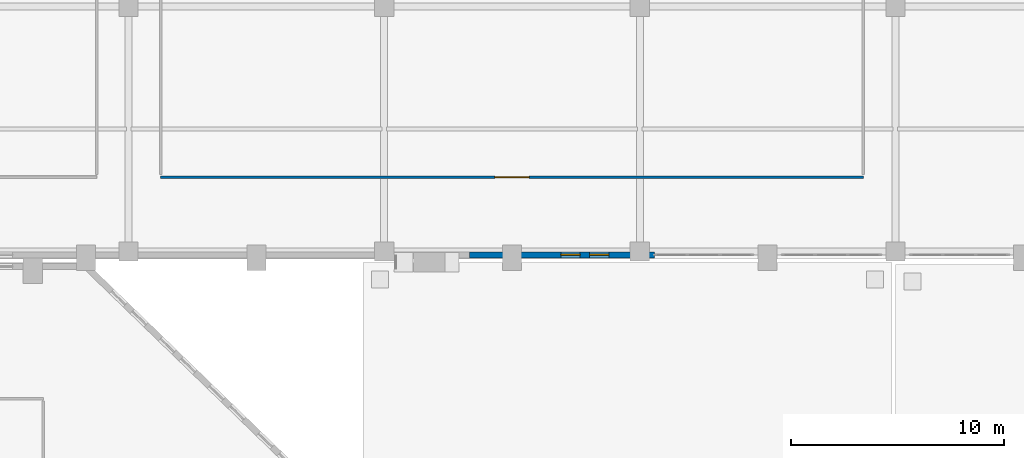
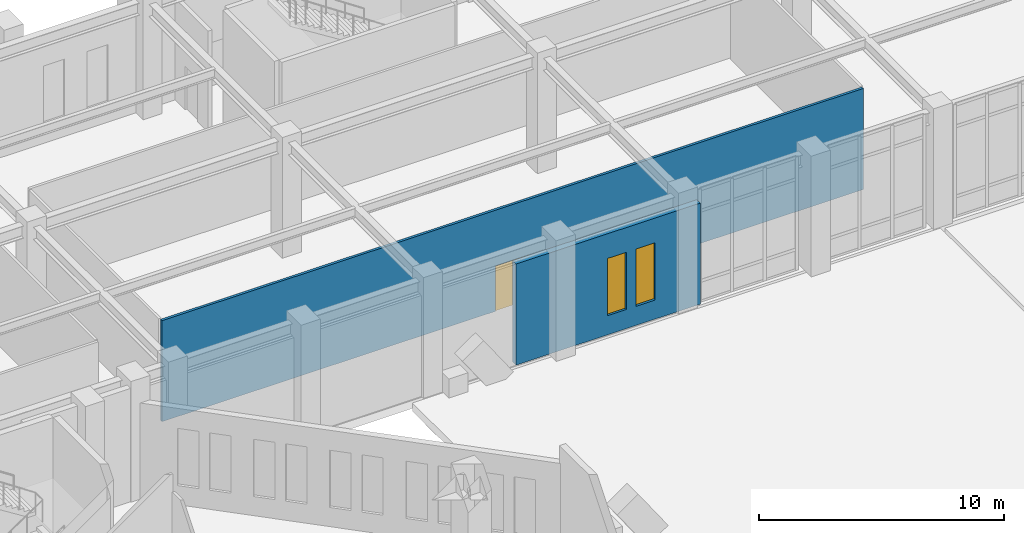
# One storey, part 115 of 143: 2 walls, 2 windows, 1 door, 3 openings.
"""IFC4 building model written with IfcOpenShell, lengths in metres."""

from ifc_helpers import new_model, si_unit, derived_unit, direction, frame, frame_2d, origin, place, context, subcontext, project, spatial, rectangle, extrude, material, layer, layer_set, type_object, element, fill, save


model = new_model("IFC4")

# Units and contexts
model_context = context("Model", 3, precision=1e-05, world=origin(), true_north=direction((0.0, 1.0)))
body_context = subcontext(model_context, "Body", "Model", "MODEL_VIEW")
ifc_project = project(units=[si_unit("LENGTHUNIT", "METRE"), si_unit("AREAUNIT", "SQUARE_METRE"), si_unit("VOLUMEUNIT", "CUBIC_METRE"), si_unit("PLANEANGLEUNIT", "RADIAN"), si_unit("MASSUNIT", "GRAM", prefix="KILO"), derived_unit("THERMALTRANSMITTANCEUNIT", [(si_unit("MASSUNIT", "GRAM", prefix="KILO"), 1), (si_unit("TIMEUNIT", "SECOND"), -3), (si_unit("THERMODYNAMICTEMPERATUREUNIT", "KELVIN"), -1)])], contexts=[model_context])

# Site, building, storey
site_placement = place(None, origin())
site = spatial("IfcSite", under=ifc_project, at=site_placement, CompositionType="ELEMENT")
building_placement = place(site_placement, origin())
building = spatial("IfcBuilding", under=site, at=building_placement, Name="Valcora Ridge Arena", CompositionType="ELEMENT")
storey_placement = place(building_placement, origin())
storey = spatial("IfcBuildingStorey", under=building, at=storey_placement, Name="L00", CompositionType="ELEMENT", Elevation=0.0)

# Wall, openings, windows
ifc_material_1 = material(Name="Bush-hammered Andean travertine on concrete backup C40/50", Category="masonry")
ifc_layer_1 = layer(ifc_material_1, 0.280029296875, Name="Bush-hammered Andean travertine on concrete backup C40/50")
ifc_layer_set_1 = layer_set([ifc_layer_1], Name="Bush-hammered Andean travertine on concrete backup C40/50")
wall_type_1 = type_object("IfcWallType", Name="TY-WALL-EW-TRV-28-50", PredefinedType="STANDARD", material=ifc_layer_set_1)
wall_1_placement = place(storey_placement, frame((112.0, 108.550048828125, 0.0), z_axis=(0.0, 0.0, 1.0), x_axis=(1.0, 0.0, 0.0)))
wall_1 = element("IfcWall", 1, at=wall_1_placement, inside=storey, type_object=wall_type_1, Name="EW-TRV-28-50 WAL-EW-0133", PredefinedType="STANDARD", context=body_context, shape_type="SweptSolid", body=[
    extrude(rectangle(XDim=8.679931640625, YDim=0.280029296875, at=frame_2d((4.33984375, 0.0))), origin(), (0.0, 0.0, 1.0), 5.028076171875),
])
opening_1_placement = place(wall_1_placement, frame((4.300048828125, 0.0, 0.949951171875)))
opening_1 = element("IfcOpeningElement", 2, at=opening_1_placement, cuts=wall_1, Name="Opening W-GLAN-90X285", PredefinedType="OPENING", context=body_context, shape_type="SweptSolid", body=[
    extrude(rectangle(XDim=0.89990234375, YDim=2.85009765625, at=frame_2d((0.449951171875, 1.425048828125))), frame((0.0, 0.14990234375, 0.0), z_axis=(0.0, -1.0, 0.0), x_axis=(1.0, 0.0, 0.0)), (0.0, 0.0, 1.0), 0.300048828125),
])
opening_2_placement = place(wall_1_placement, frame((5.64990234375, 0.0, 0.949951171875)))
opening_2 = element("IfcOpeningElement", 3, at=opening_2_placement, cuts=wall_1, Name="Opening W-GLAN-90X285", PredefinedType="OPENING", context=body_context, shape_type="SweptSolid", body=[
    extrude(rectangle(XDim=0.89990234375, YDim=2.85009765625, at=frame_2d((0.449951171875, 1.425048828125))), frame((0.0, 0.14990234375, 0.0), z_axis=(0.0, -1.0, 0.0), x_axis=(1.0, 0.0, 0.0)), (0.0, 0.0, 1.0), 0.300048828125),
])
ifc_material_2 = material(Name="Low-iron solar-control double glazing SHGC 0.28", Category="glass")
window_type = type_object("IfcWindowType", Name="TY-WINDOW-W-GLAN-90X285", PartitioningType="DOUBLE_PANEL_VERTICAL", PredefinedType="WINDOW", material=ifc_material_2)
window_1_placement = place(opening_1_placement, origin())
window_1 = element("IfcWindow", 4, at=window_1_placement, inside=storey, type_object=window_type, Name="W-GLAN-90X285 WIN-EX-0396", OverallHeight=2.85009765625, OverallWidth=0.89990234375, PartitioningType="DOUBLE_PANEL_VERTICAL", PredefinedType="WINDOW", context=body_context, shape_type="SweptSolid", body=[
    extrude(rectangle(XDim=0.89990234375, YDim=2.85009765625, at=frame_2d((0.449951171875, 1.425048828125))), frame((0.0, 0.030029296875, 0.0), z_axis=(0.0, -1.0, 0.0), x_axis=(1.0, 0.0, 0.0)), (0.0, 0.0, 1.0), 0.06005859375),
])
fill(opening_1, window_1)
window_2_placement = place(opening_2_placement, origin())
window_2 = element("IfcWindow", 5, at=window_2_placement, inside=storey, type_object=window_type, Name="W-GLAN-90X285 WIN-EX-0397", OverallHeight=2.85009765625, OverallWidth=0.89990234375, PartitioningType="DOUBLE_PANEL_VERTICAL", PredefinedType="WINDOW", context=body_context, shape_type="SweptSolid", body=[
    extrude(rectangle(XDim=0.89990234375, YDim=2.85009765625, at=frame_2d((0.449951171875, 1.425048828125))), frame((0.0, 0.030029296875, 0.0), z_axis=(0.0, -1.0, 0.0), x_axis=(1.0, 0.0, 0.0)), (0.0, 0.0, 1.0), 0.06005859375),
])
fill(opening_2, window_2)

# Wall, opening, door
ifc_material_3 = material(Name="Acoustic metal-stud gypsum partition 120 mm")
ifc_layer_2 = layer(ifc_material_3, 0.1201171875, Name="Acoustic metal-stud gypsum partition 120 mm")
ifc_layer_set_2 = layer_set([ifc_layer_2], Name="Acoustic metal-stud gypsum partition 120 mm")
wall_type_2 = type_object("IfcWallType", Name="TY-WALL-IW-PART-120", PredefinedType="PARTITIONING", material=ifc_layer_set_2)
wall_2_placement = place(storey_placement, frame((97.5, 112.199951171875, 0.0), z_axis=(0.0, 0.0, 1.0), x_axis=(1.0, 0.0, 0.0)))
wall_2 = element("IfcWall", 6, at=wall_2_placement, inside=storey, type_object=wall_type_2, Name="IW-PART-120 WAL-IN-0277", PredefinedType="PARTITIONING", context=body_context, shape_type="SweptSolid", body=[
    extrude(rectangle(XDim=33.0, YDim=0.1201171875, at=frame_2d((16.5, 0.0))), origin(), (0.0, 0.0, 1.0), 5.028076171875),
])
opening_3_placement = place(wall_2_placement, frame((15.699951171875, 0.0, 0.0)))
opening_3 = element("IfcOpeningElement", 7, at=opening_3_placement, cuts=wall_2, Name="Opening D-PUB-1600", PredefinedType="OPENING", context=body_context, shape_type="SweptSolid", body=[
    extrude(rectangle(XDim=1.60009765625, YDim=2.25, at=frame_2d((0.800048828125, 1.125))), frame((0.0, 0.070068359375, 0.0), z_axis=(0.0, -1.0, 0.0), x_axis=(1.0, 0.0, 0.0)), (0.0, 0.0, 1.0), 0.14013671875),
])
ifc_material_4 = material(Name="Solid-core acoustic timber veneer door leaf", Category="wood")
door_type = type_object("IfcDoorType", Name="TY-DOOR-D-PUB-1600", OperationType="NOTDEFINED", PredefinedType="DOOR", material=ifc_material_4)
door_placement = place(opening_3_placement, origin())
door = element("IfcDoor", 8, at=door_placement, inside=storey, type_object=door_type, Name="D-PUB-1600 DOR-IN-0074", OperationType="DOUBLE_DOOR_SINGLE_SWING", OverallHeight=2.25, OverallWidth=1.60009765625, PredefinedType="DOOR", context=body_context, shape_type="SweptSolid", body=[
    extrude(rectangle(XDim=1.60009765625, YDim=2.25, at=frame_2d((0.800048828125, 1.125))), frame((0.0, 0.02490234375, 0.0), z_axis=(0.0, -1.0, 0.0), x_axis=(1.0, 0.0, 0.0)), (0.0, 0.0, 1.0), 0.050048828125),
])
fill(opening_3, door)

save(model, "model.ifc")
